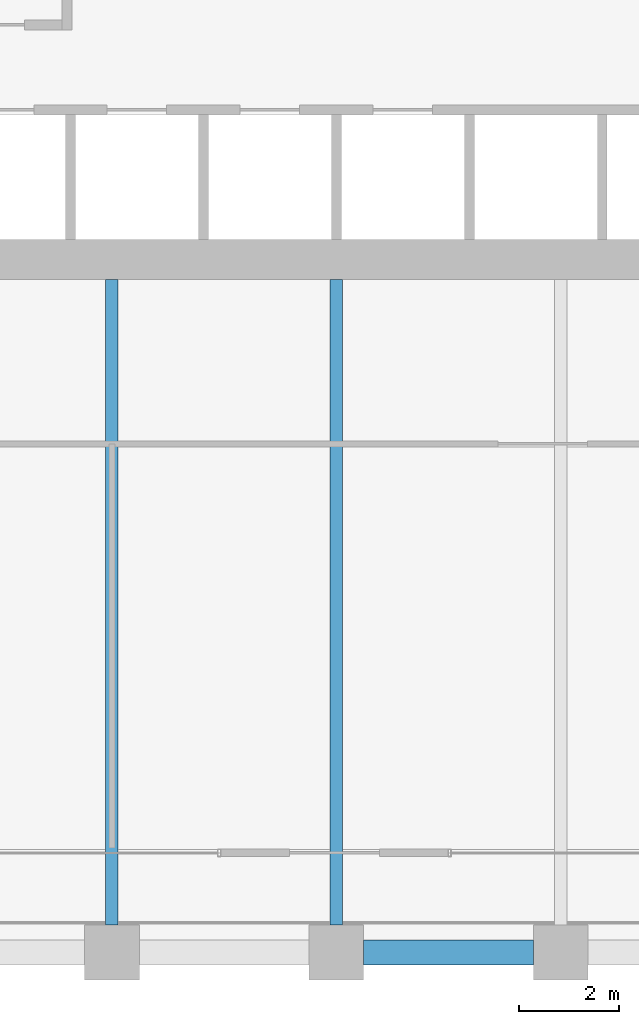
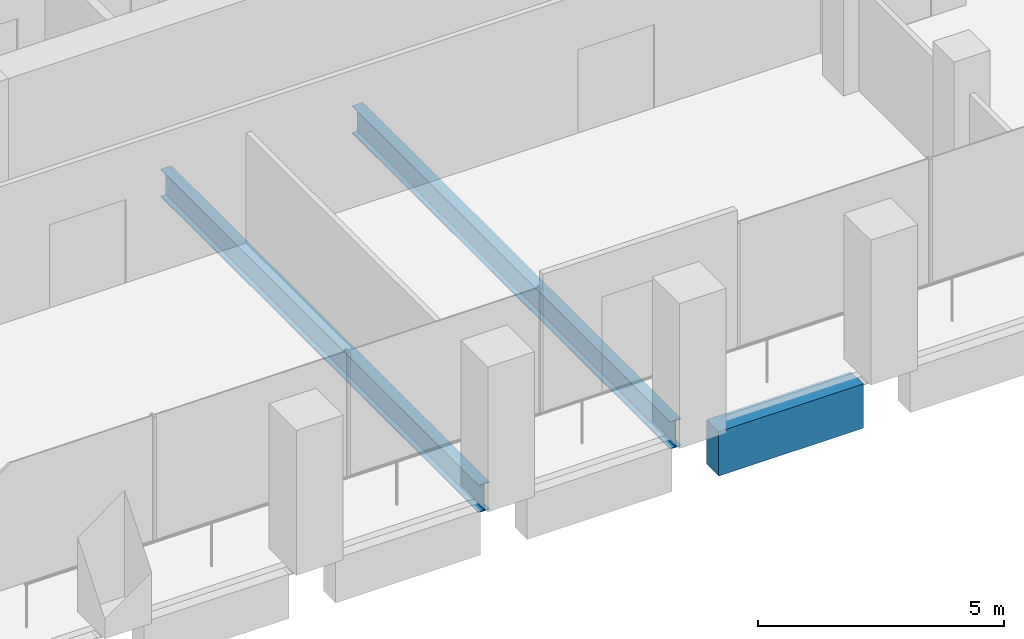
# One storey, part 8 of 56: 3 beams.
"""IFC4 building model written with IfcOpenShell, lengths in metres."""

from ifc_helpers import new_model, si_unit, direction, frame, origin, origin_2d, place, context, subcontext, project, spatial, rectangle, i_section, extrude, material, material_profile, profile_set, type_object, element, save


model = new_model("IFC4")

# Units and contexts
model_context = context("Model", 3, precision=1e-05, world=origin(), true_north=direction((0.0, 1.0)))
body_context = subcontext(model_context, "Body", "Model", "MODEL_VIEW")
ifc_project = project(units=[si_unit("LENGTHUNIT", "METRE"), si_unit("AREAUNIT", "SQUARE_METRE"), si_unit("VOLUMEUNIT", "CUBIC_METRE"), si_unit("PLANEANGLEUNIT", "RADIAN"), si_unit("MASSUNIT", "GRAM", prefix="KILO")], contexts=[model_context])

# Site, building, storey
site_placement = place(None, origin())
site = spatial("IfcSite", under=ifc_project, at=site_placement, CompositionType="ELEMENT")
building_placement = place(site_placement, origin())
building = spatial("IfcBuilding", under=site, at=building_placement, Name="Altepetl Exchange Towers", CompositionType="ELEMENT")
storey_placement = place(building_placement, frame((0.0, 0.0, 79.800048828125)))
storey = spatial("IfcBuildingStorey", under=building, at=storey_placement, Name="L19", CompositionType="ELEMENT", Elevation=79.800048828125)

# Beams
ifc_material_1 = material(Name="Steel S355", Category="steel")
ifc_material_profile_1 = material_profile(ifc_material_1, i_section(OverallWidth=0.25390625, OverallDepth=0.68408203125, WebThickness=0.012451171875, FlangeThickness=0.018798828125, at=origin_2d()), Name="W27X94")
ifc_profile_set_1 = profile_set([ifc_material_profile_1], Name="Steel S355")
beam_type_1 = type_object("IfcBeamType", Name="Floor beam W27X94", PredefinedType="BEAM", material=ifc_profile_set_1)
for number, where, z_axis, x_axis, name in (
    (1, (45.0, 27.550048828125, -0.491943359375), (0.0, 1.0, 0.0), (-1.0, 0.0, 0.0), "bm:A:L19:015"),
    (2, (49.5, 27.550048828125, -0.491943359375), (0.0, 1.0, 0.0), (-1.0, 0.0, 0.0), "bm:A:L19:016"),
):
    element("IfcBeam", number, at=place(storey_placement, frame(where, z_axis=z_axis, x_axis=x_axis)), inside=storey, type_object=beam_type_1, Name=name, PredefinedType="BEAM", context=body_context, shape_type="SweptSolid", body=[
        extrude(i_section(OverallWidth=0.25390625, OverallDepth=0.68408203125, WebThickness=0.012451171875, FlangeThickness=0.018798828125, at=origin_2d()), origin(), (0.0, 0.0, 1.0), 12.949951171875),
    ])
ifc_material_2 = material(Name="Concrete C50/60 precast with cantera blanca facing", Category="concrete")
ifc_material_profile_2 = material_profile(ifc_material_2, rectangle(XDim=0.5, YDim=1.10009765625, at=origin_2d()), Name="500 x 1100")
ifc_profile_set_2 = profile_set([ifc_material_profile_2], Name="Concrete C50/60 precast with cantera blanca facing")
beam_type_2 = type_object("IfcBeamType", Name="Spandrel beam 500x1100 cantera blanca", PredefinedType="SPANDREL", material=ifc_profile_set_2)
beam_placement = place(storey_placement, frame((50.050048828125, 27.0, -0.699951171875), z_axis=(1.0, 0.0, 0.0), x_axis=(0.0, 1.0, 0.0)))
element("IfcBeam", 3, at=beam_placement, inside=storey, type_object=beam_type_2, Name="sp:A:L19:004", PredefinedType="SPANDREL", context=body_context, shape_type="SweptSolid", body=[
    extrude(rectangle(XDim=0.5, YDim=1.10009765625, at=origin_2d()), origin(), (0.0, 0.0, 1.0), 3.39990234375),
])

save(model, "model.ifc")
